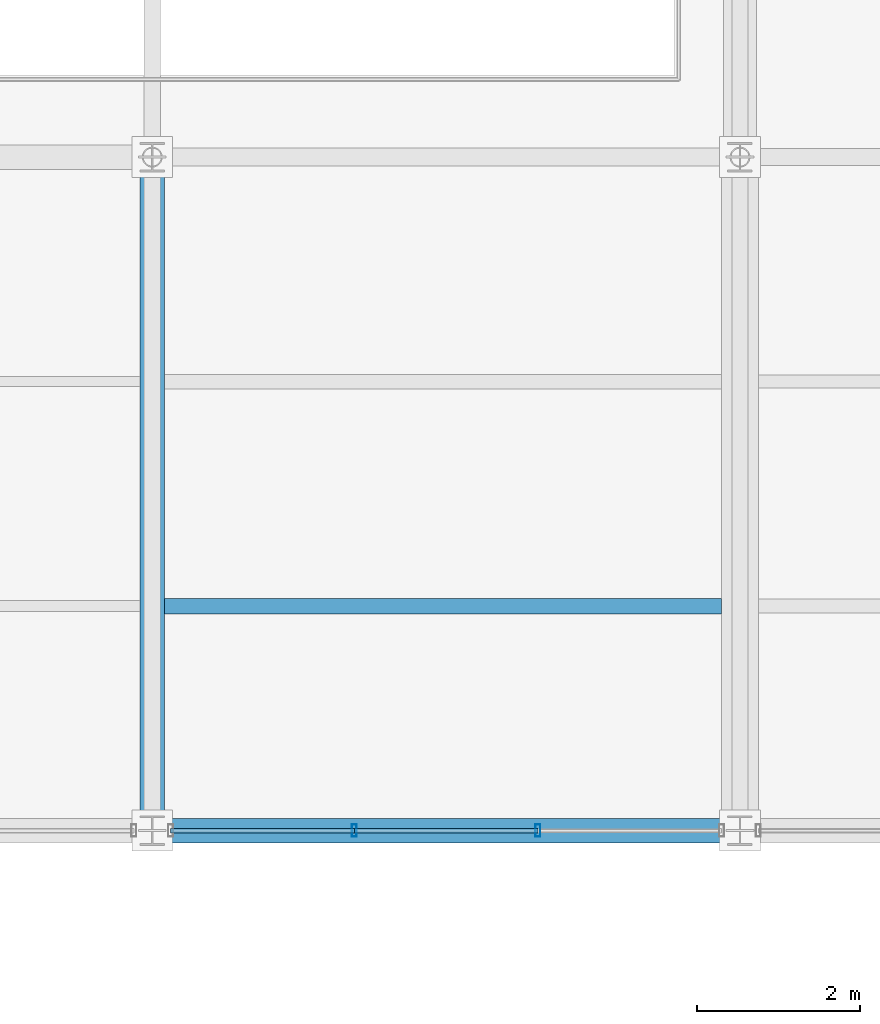
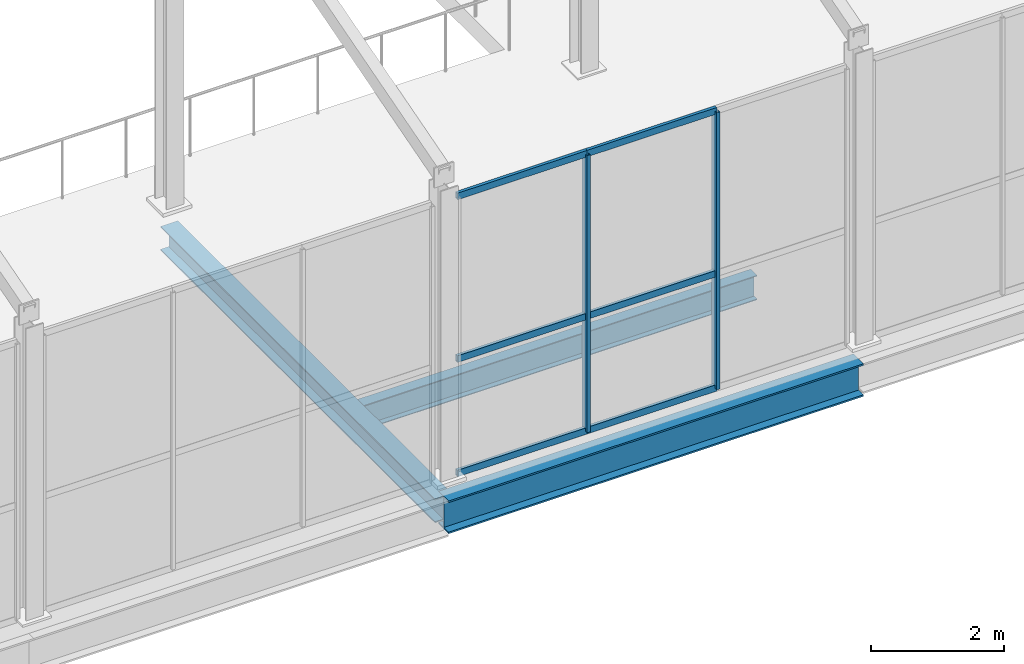
# One storey, part 60 of 141: 8 members, 3 beams, 1 element without a shape of its own.
"""IFC4 building model written with IfcOpenShell, lengths in metres."""

from ifc_helpers import new_model, si_unit, direction, frame, origin, origin_2d, place, context, subcontext, project, spatial, hollow_rectangle, i_section, extrude, material, layer, layer_set, material_profile, profile_set, type_object, element, aggregate, save


model = new_model("IFC4")

# Units and contexts
model_context = context("Model", 3, precision=1e-05, world=origin(), true_north=direction((0.0, 1.0)))
body_context = subcontext(model_context, "Body", "Model", "MODEL_VIEW")
ifc_project = project(units=[si_unit("LENGTHUNIT", "METRE"), si_unit("AREAUNIT", "SQUARE_METRE"), si_unit("VOLUMEUNIT", "CUBIC_METRE"), si_unit("PLANEANGLEUNIT", "RADIAN"), si_unit("MASSUNIT", "GRAM", prefix="KILO")], contexts=[model_context])

# Site, building, storey
site_placement = place(None, origin())
site = spatial("IfcSite", under=ifc_project, at=site_placement, CompositionType="ELEMENT")
building_placement = place(site_placement, origin())
building = spatial("IfcBuilding", under=site, at=building_placement, Name="Sundgate Opera House", CompositionType="ELEMENT")
storey_placement = place(building_placement, frame((0.0, 0.0, 11.39990234375)))
storey = spatial("IfcBuildingStorey", under=building, at=storey_placement, Name="L02", CompositionType="ELEMENT", Elevation=11.39990234375)

# Beams
ifc_material_1 = material(Name="Steel S355J2", Category="steel")
ifc_material_profile_1 = material_profile(ifc_material_1, i_section(OverallWidth=0.300048828125, OverallDepth=0.43994140625, WebThickness=0.011474609375, FlangeThickness=0.02099609375, at=origin_2d()), Name="HEA 450")
ifc_profile_set_1 = profile_set([ifc_material_profile_1], Name="Steel S355J2")
beam_type_1 = type_object("IfcBeamType", Name="BM-GR-HEA450", PredefinedType="BEAM", material=ifc_profile_set_1)
beam_1_placement = place(storey_placement, frame((138.60009765625, 8.25, -0.56982421875), z_axis=(0.0, 1.0, 0.0), x_axis=(-1.0, 0.0, 0.0)))
element("IfcBeam", 1, at=beam_1_placement, inside=storey, type_object=beam_type_1, Name="L02 Primary N-S Girder B1911", PredefinedType="BEAM", context=body_context, shape_type="SweptSolid", body=[
    extrude(i_section(OverallWidth=0.300048828125, OverallDepth=0.43994140625, WebThickness=0.011474609375, FlangeThickness=0.02099609375, at=origin_2d()), origin(), (0.0, 0.0, 1.0), 8.25),
])
ifc_material_2 = material(Name="Steel S355J2", Category="steel")
ifc_material_profile_2 = material_profile(ifc_material_2, i_section(OverallWidth=0.300048828125, OverallDepth=0.60009765625, WebThickness=0.015380859375, FlangeThickness=0.030029296875, at=origin_2d()), Name="HEB 600")
ifc_profile_set_2 = profile_set([ifc_material_profile_2], Name="Steel S355J2")
beam_type_2 = type_object("IfcBeamType", Name="BM-GR-HEB600", PredefinedType="BEAM", material=ifc_profile_set_2)
beam_2_placement = place(storey_placement, frame((138.60009765625, 8.25, -0.64990234375), z_axis=(1.0, 0.0, 0.0), x_axis=(0.0, 1.0, 0.0)))
element("IfcBeam", 2, at=beam_2_placement, inside=storey, type_object=beam_type_2, Name="L02 Primary E-W Girder B1969", PredefinedType="BEAM", context=body_context, shape_type="SweptSolid", body=[
    extrude(i_section(OverallWidth=0.300048828125, OverallDepth=0.60009765625, WebThickness=0.015380859375, FlangeThickness=0.030029296875, at=origin_2d()), origin(), (0.0, 0.0, 1.0), 7.199951171875),
])
ifc_material_3 = material(Name="Steel S355J2", Category="steel")
ifc_material_profile_3 = material_profile(ifc_material_3, i_section(OverallWidth=0.18994140625, OverallDepth=0.449951171875, WebThickness=0.009521484375, FlangeThickness=0.0146484375, at=origin_2d()), Name="IPE 450")
ifc_profile_set_3 = profile_set([ifc_material_profile_3], Name="Steel S355J2")
beam_type_3 = type_object("IfcBeamType", Name="BM-JS-IPE450", PredefinedType="JOIST", material=ifc_profile_set_3)
beam_3_placement = place(storey_placement, frame((138.75, 11.0, -0.574951171875), z_axis=(1.0, 0.0, 0.0), x_axis=(0.0, 1.0, 0.0)))
element("IfcBeam", 3, at=beam_3_placement, inside=storey, type_object=beam_type_3, Name="L02 Secondary Floor Joist B2157", PredefinedType="JOIST", context=body_context, shape_type="SweptSolid", body=[
    extrude(i_section(OverallWidth=0.18994140625, OverallDepth=0.449951171875, WebThickness=0.009521484375, FlangeThickness=0.0146484375, at=origin_2d()), origin(), (0.0, 0.0, 1.0), 6.824951171875),
])

# Curtain wall, members
ifc_material_4 = material(Name="Anodized aluminium and low-iron glass", Category="aluminium")
ifc_layer = layer(ifc_material_4, 0.14990234375)
ifc_layer_set = layer_set([ifc_layer], Name="Anodized aluminium and low-iron glass")
curtain_wall_type = type_object("IfcCurtainWallType", Name="CW-WORKSHOP-DARK", PredefinedType="NOTDEFINED", material=ifc_layer_set)
curtain_wall_placement = place(storey_placement, origin())
curtain_wall = element("IfcCurtainWall", 4, at=curtain_wall_placement, inside=storey, type_object=curtain_wall_type, Name="L02 Curtain Wall CW160", PredefinedType="NOTDEFINED")
ifc_material_5 = material(Name="Anodized aluminium EN AW-6063", Category="aluminium")
ifc_material_profile_4 = material_profile(ifc_material_5, hollow_rectangle(XDim=0.06005859375, YDim=0.14990234375, WallThickness=0.00390625, at=origin_2d()), Name="CWM 150x60x4")
ifc_profile_set_4 = profile_set([ifc_material_profile_4], Name="Anodized aluminium EN AW-6063")
member_type_1 = type_object("IfcMemberType", Name="CWM-ALU-150x60", PredefinedType="MULLION", material=ifc_profile_set_4)
member_1_placement = place(storey_placement, frame((143.324951171875, 8.25, 0.0), z_axis=(0.0, 0.0, 1.0), x_axis=(1.0, 0.0, 0.0)))
member_1 = element("IfcMember", 5, at=member_1_placement, type_object=member_type_1, Name="CW160 Mullion 2", PredefinedType="MULLION", context=body_context, shape_type="SweptSolid", body=[
    extrude(hollow_rectangle(XDim=0.06005859375, YDim=0.14990234375, WallThickness=0.00390625, at=origin_2d()), origin(), (0.0, 0.0, 1.0), 5.085205078125),
])
member_2_placement = place(storey_placement, frame((141.074951171875, 8.25, 0.0), z_axis=(0.0, 0.0, 1.0), x_axis=(1.0, 0.0, 0.0)))
member_2 = element("IfcMember", 6, at=member_2_placement, type_object=member_type_1, Name="CW160 Mullion 3", PredefinedType="MULLION", context=body_context, shape_type="SweptSolid", body=[
    extrude(hollow_rectangle(XDim=0.06005859375, YDim=0.14990234375, WallThickness=0.00390625, at=origin_2d()), origin(), (0.0, 0.0, 1.0), 5.085205078125),
])
ifc_material_6 = material(Name="Anodized aluminium EN AW-6063", Category="aluminium")
ifc_material_profile_5 = material_profile(ifc_material_6, hollow_rectangle(XDim=0.054931640625, YDim=0.1201171875, WallThickness=0.00390625, at=origin_2d()), Name="CWT 120x55x4")
ifc_profile_set_5 = profile_set([ifc_material_profile_5], Name="Anodized aluminium EN AW-6063")
member_type_2 = type_object("IfcMemberType", Name="CWT-ALU-120x55", PredefinedType="USERDEFINED", material=ifc_profile_set_5)
member_3_placement = place(storey_placement, frame((143.324951171875, 8.25, 0.0), z_axis=(-1.0, 0.0, 0.0), x_axis=(0.0, -1.0, 0.0)))
member_3 = element("IfcMember", 7, at=member_3_placement, type_object=member_type_2, Name="CW160 Transom 4", ObjectType="TRANSOM", PredefinedType="USERDEFINED", context=body_context, shape_type="SweptSolid", body=[
    extrude(hollow_rectangle(XDim=0.054931640625, YDim=0.1201171875, WallThickness=0.00390625, at=origin_2d()), origin(), (0.0, 0.0, 1.0), 2.25),
])
member_4_placement = place(storey_placement, frame((143.324951171875, 8.25, 2.10009765625), z_axis=(-1.0, 0.0, 0.0), x_axis=(0.0, -1.0, 0.0)))
member_4 = element("IfcMember", 8, at=member_4_placement, type_object=member_type_2, Name="CW160 Transom 5", ObjectType="TRANSOM", PredefinedType="USERDEFINED", context=body_context, shape_type="SweptSolid", body=[
    extrude(hollow_rectangle(XDim=0.054931640625, YDim=0.1201171875, WallThickness=0.00390625, at=origin_2d()), origin(), (0.0, 0.0, 1.0), 2.25),
])
member_5_placement = place(storey_placement, frame((143.324951171875, 8.25, 5.085205078125), z_axis=(-1.0, 0.0, 0.0), x_axis=(0.0, -1.0, 0.0)))
member_5 = element("IfcMember", 9, at=member_5_placement, type_object=member_type_2, Name="CW160 Transom 6", ObjectType="TRANSOM", PredefinedType="USERDEFINED", context=body_context, shape_type="SweptSolid", body=[
    extrude(hollow_rectangle(XDim=0.054931640625, YDim=0.1201171875, WallThickness=0.00390625, at=origin_2d()), origin(), (0.0, 0.0, 1.0), 2.25),
])
member_6_placement = place(storey_placement, frame((141.074951171875, 8.25, 0.0), z_axis=(-1.0, 0.0, 0.0), x_axis=(0.0, -1.0, 0.0)))
member_6 = element("IfcMember", 10, at=member_6_placement, type_object=member_type_2, Name="CW160 Transom 7", ObjectType="TRANSOM", PredefinedType="USERDEFINED", context=body_context, shape_type="SweptSolid", body=[
    extrude(hollow_rectangle(XDim=0.054931640625, YDim=0.1201171875, WallThickness=0.00390625, at=origin_2d()), origin(), (0.0, 0.0, 1.0), 2.25),
])
member_7_placement = place(storey_placement, frame((141.074951171875, 8.25, 2.10009765625), z_axis=(-1.0, 0.0, 0.0), x_axis=(0.0, -1.0, 0.0)))
member_7 = element("IfcMember", 11, at=member_7_placement, type_object=member_type_2, Name="CW160 Transom 8", ObjectType="TRANSOM", PredefinedType="USERDEFINED", context=body_context, shape_type="SweptSolid", body=[
    extrude(hollow_rectangle(XDim=0.054931640625, YDim=0.1201171875, WallThickness=0.00390625, at=origin_2d()), origin(), (0.0, 0.0, 1.0), 2.25),
])
member_8_placement = place(storey_placement, frame((141.074951171875, 8.25, 5.085205078125), z_axis=(-1.0, 0.0, 0.0), x_axis=(0.0, -1.0, 0.0)))
member_8 = element("IfcMember", 12, at=member_8_placement, type_object=member_type_2, Name="CW160 Transom 9", ObjectType="TRANSOM", PredefinedType="USERDEFINED", context=body_context, shape_type="SweptSolid", body=[
    extrude(hollow_rectangle(XDim=0.054931640625, YDim=0.1201171875, WallThickness=0.00390625, at=origin_2d()), origin(), (0.0, 0.0, 1.0), 2.25),
])
aggregate(curtain_wall, [member_1, member_2, member_3, member_4, member_5, member_6, member_7, member_8])

save(model, "model.ifc")
